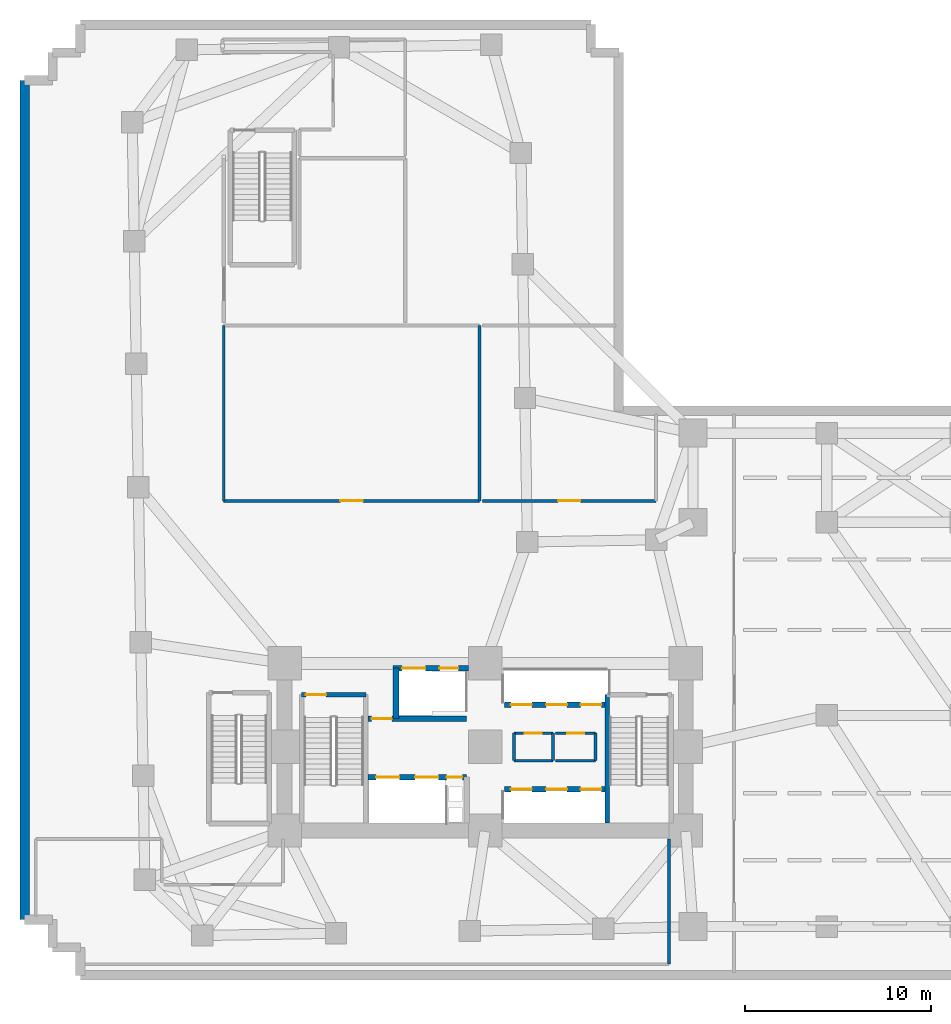
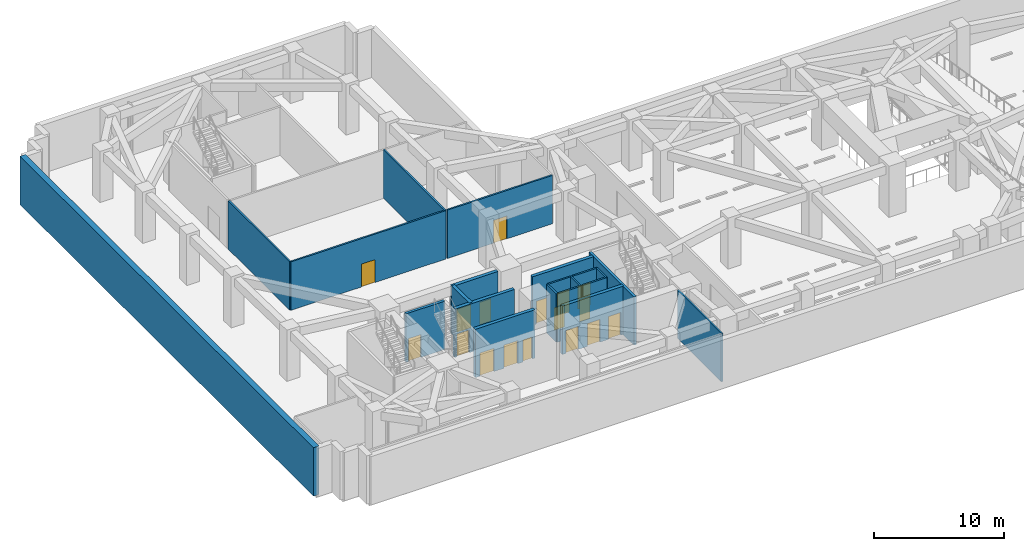
# One storey, part 5 of 11: 21 walls, 17 doors, 17 openings.
"""IFC4 building model written with IfcOpenShell, lengths in metres."""

from ifc_helpers import new_model, si_unit, direction, frame, frame_2d, origin, place, context, subcontext, project, spatial, rectangle, extrude, material, layer, layer_set, type_object, element, fill, save


model = new_model("IFC4")

# Units and contexts
model_context = context("Model", 3, precision=1e-05, world=origin(), true_north=direction((0.0, 1.0)))
body_context = subcontext(model_context, "Body", "Model", "MODEL_VIEW")
ifc_project = project(units=[si_unit("LENGTHUNIT", "METRE"), si_unit("AREAUNIT", "SQUARE_METRE"), si_unit("VOLUMEUNIT", "CUBIC_METRE"), si_unit("PLANEANGLEUNIT", "RADIAN"), si_unit("MASSUNIT", "GRAM", prefix="KILO")], contexts=[model_context])

# Site, building, storey
site_placement = place(None, origin())
site = spatial("IfcSite", under=ifc_project, at=site_placement, CompositionType="ELEMENT")
building_placement = place(site_placement, origin())
building = spatial("IfcBuilding", under=site, at=building_placement, Name="Gaonmaruhae Medical Tower", CompositionType="ELEMENT")
storey_placement = place(building_placement, frame((0.0, 0.0, -4.800048828125)))
storey = spatial("IfcBuildingStorey", under=building, at=storey_placement, Name="B01", CompositionType="ELEMENT", Elevation=-4.800048828125)

# Wall
ifc_material_1 = material(Name="Gypsum board partition", Category="gypsum")
ifc_layer_1 = layer(ifc_material_1, 0.14990234375)
ifc_layer_set_1 = layer_set([ifc_layer_1], Name="Gypsum board partition")
wall_type_1 = type_object("IfcWallType", Name="PW-150 Rated Clinical Corridor Partition", PredefinedType="PARTITIONING", material=ifc_layer_set_1)
wall_1_placement = place(storey_placement, frame((26.35009765625, 11.56005859375, 0.0), z_axis=(0.0, 0.0, 1.0), x_axis=(0.0, 1.0, 0.0)))
element("IfcWall", 1, at=wall_1_placement, inside=storey, type_object=wall_type_1, Name="B01 Interior Partition B01-CS1-1", PredefinedType="PARTITIONING", context=body_context, shape_type="SweptSolid", body=[
    extrude(rectangle(XDim=1.47998046875, YDim=0.14990234375, at=frame_2d((0.739990234375, 0.0))), origin(), (0.0, 0.0, 1.0), 4.550048828125),
])

# Wall, opening, door
wall_2_placement = place(storey_placement, frame((26.35009765625, 13.0400390625, 0.0), z_axis=(0.0, 0.0, 1.0), x_axis=(1.0, 0.0, 0.0)))
wall_2 = element("IfcWall", 2, at=wall_2_placement, inside=storey, type_object=wall_type_1, Name="B01 Interior Partition B01-CS1-2", PredefinedType="PARTITIONING", context=body_context, shape_type="SweptSolid", body=[
    extrude(rectangle(XDim=2.099853515625, YDim=0.14990234375, at=frame_2d((1.0498046875, 0.0))), origin(), (0.0, 0.0, 1.0), 4.550048828125),
])
opening_1_placement = place(wall_2_placement, frame((0.590087890625, 0.0, 0.0)))
opening_1 = element("IfcOpeningElement", 3, at=opening_1_placement, cuts=wall_2, Name="Opening UD-01", PredefinedType="OPENING", context=body_context, shape_type="SweptSolid", body=[
    extrude(rectangle(XDim=0.919921875, YDim=2.10009765625, at=frame_2d((0.4599609375, 1.050048828125))), frame((0.0, 0.0849609375, 0.0), z_axis=(0.0, -1.0, 0.0), x_axis=(1.0, 0.0, 0.0)), (0.0, 0.0, 1.0), 0.169921875),
])
ifc_material_2 = material(Name="Powder-coated steel utility door", Category="steel")
door_type_1 = type_object("IfcDoorType", Name="UD-01 Toilet, Utility & Housekeeping Door 920x2100", OperationType="NOTDEFINED", PredefinedType="DOOR", material=ifc_material_2)
door_1_placement = place(opening_1_placement, origin())
door_1 = element("IfcDoor", 4, at=door_1_placement, inside=storey, type_object=door_type_1, Name="B01 Accessible Staff Toilet Door", OperationType="SINGLE_SWING_RIGHT", OverallHeight=2.10009765625, OverallWidth=0.919921875, PredefinedType="DOOR", context=body_context, shape_type="SweptSolid", body=[
    extrude(rectangle(XDim=0.919921875, YDim=2.10009765625, at=frame_2d((0.4599609375, 1.050048828125))), frame((0.0, 0.02490234375, 0.0), z_axis=(0.0, -1.0, 0.0), x_axis=(1.0, 0.0, 0.0)), (0.0, 0.0, 1.0), 0.050048828125),
])
fill(opening_1, door_1)

# Walls
wall_3_placement = place(storey_placement, frame((28.449951171875, 13.0400390625, 0.0), z_axis=(0.0, 0.0, 1.0), x_axis=(0.0, -1.0, 0.0)))
element("IfcWall", 5, at=wall_3_placement, inside=storey, type_object=wall_type_1, Name="B01 Interior Partition B01-CS1-3", PredefinedType="PARTITIONING", context=body_context, shape_type="SweptSolid", body=[
    extrude(rectangle(XDim=1.47998046875, YDim=0.14990234375, at=frame_2d((0.739990234375, 0.0))), origin(), (0.0, 0.0, 1.0), 4.550048828125),
])
wall_4_placement = place(storey_placement, frame((28.449951171875, 11.56005859375, 0.0), z_axis=(0.0, 0.0, 1.0), x_axis=(-1.0, 0.0, 0.0)))
element("IfcWall", 6, at=wall_4_placement, inside=storey, type_object=wall_type_1, Name="B01 Interior Partition B01-CS1-4", PredefinedType="PARTITIONING", context=body_context, shape_type="SweptSolid", body=[
    extrude(rectangle(XDim=2.099853515625, YDim=0.14990234375, at=frame_2d((1.0498046875, 0.0))), origin(), (0.0, 0.0, 1.0), 4.550048828125),
])

# Wall, opening, door
wall_5_placement = place(storey_placement, frame((28.60009765625, 13.0400390625, 0.0), z_axis=(0.0, 0.0, 1.0), x_axis=(1.0, 0.0, 0.0)))
wall_5 = element("IfcWall", 7, at=wall_5_placement, inside=storey, type_object=wall_type_1, Name="B01 Interior Partition B01-CS2-5", PredefinedType="PARTITIONING", context=body_context, shape_type="SweptSolid", body=[
    extrude(rectangle(XDim=2.14990234375, YDim=0.14990234375, at=frame_2d((1.074951171875, 0.0))), origin(), (0.0, 0.0, 1.0), 4.550048828125),
])
opening_2_placement = place(wall_5_placement, frame((0.614990234375, 0.0, 0.0)))
opening_2 = element("IfcOpeningElement", 8, at=opening_2_placement, cuts=wall_5, Name="Opening UD-01", PredefinedType="OPENING", context=body_context, shape_type="SweptSolid", body=[
    extrude(rectangle(XDim=0.919921875, YDim=2.10009765625, at=frame_2d((0.4599609375, 1.050048828125))), frame((0.0, 0.0849609375, 0.0), z_axis=(0.0, -1.0, 0.0), x_axis=(1.0, 0.0, 0.0)), (0.0, 0.0, 1.0), 0.169921875),
])
door_2_placement = place(opening_2_placement, origin())
door_2 = element("IfcDoor", 9, at=door_2_placement, inside=storey, type_object=door_type_1, Name="B01 Biomedical Telemetry Closet Door", OperationType="SINGLE_SWING_LEFT", OverallHeight=2.10009765625, OverallWidth=0.919921875, PredefinedType="DOOR", context=body_context, shape_type="SweptSolid", body=[
    extrude(rectangle(XDim=0.919921875, YDim=2.10009765625, at=frame_2d((0.4599609375, 1.050048828125))), frame((0.0, 0.02490234375, 0.0), z_axis=(0.0, -1.0, 0.0), x_axis=(1.0, 0.0, 0.0)), (0.0, 0.0, 1.0), 0.050048828125),
])
fill(opening_2, door_2)

# Walls
wall_6_placement = place(storey_placement, frame((30.75, 13.0400390625, 0.0), z_axis=(0.0, 0.0, 1.0), x_axis=(0.0, -1.0, 0.0)))
element("IfcWall", 10, at=wall_6_placement, inside=storey, type_object=wall_type_1, Name="B01 Interior Partition B01-CS2-6", PredefinedType="PARTITIONING", context=body_context, shape_type="SweptSolid", body=[
    extrude(rectangle(XDim=1.47998046875, YDim=0.14990234375, at=frame_2d((0.739990234375, 0.0))), origin(), (0.0, 0.0, 1.0), 4.550048828125),
])
wall_7_placement = place(storey_placement, frame((30.75, 11.56005859375, 0.0), z_axis=(0.0, 0.0, 1.0), x_axis=(-1.0, 0.0, 0.0)))
element("IfcWall", 11, at=wall_7_placement, inside=storey, type_object=wall_type_1, Name="B01 Interior Partition B01-CS2-7", PredefinedType="PARTITIONING", context=body_context, shape_type="SweptSolid", body=[
    extrude(rectangle(XDim=2.14990234375, YDim=0.14990234375, at=frame_2d((1.074951171875, 0.0))), origin(), (0.0, 0.0, 1.0), 4.550048828125),
])
wall_8_placement = place(storey_placement, frame((24.5, 35.0, 0.0), z_axis=(0.0, 0.0, 1.0), x_axis=(0.0, -1.0, 0.0)))
element("IfcWall", 12, at=wall_8_placement, inside=storey, type_object=wall_type_1, Name="B01 Interior Partition B01-CSSD-8", PredefinedType="PARTITIONING", context=body_context, shape_type="SweptSolid", body=[
    extrude(rectangle(XDim=9.449951171875, YDim=0.14990234375, at=frame_2d((4.72509765625, 0.0))), origin(), (0.0, 0.0, 1.0), 4.550048828125),
])

# Wall, opening, door
wall_9_placement = place(storey_placement, frame((24.5, 25.550048828125, 0.0), z_axis=(0.0, 0.0, 1.0), x_axis=(-1.0, 0.0, 0.0)))
wall_9 = element("IfcWall", 13, at=wall_9_placement, inside=storey, type_object=wall_type_1, Name="B01 Interior Partition B01-CSSD-9", PredefinedType="PARTITIONING", context=body_context, shape_type="SweptSolid", body=[
    extrude(rectangle(XDim=13.780029296875, YDim=0.14990234375, at=frame_2d((6.89013671875, 0.0))), origin(), (0.0, 0.0, 1.0), 4.550048828125),
])
opening_3_placement = place(wall_9_placement, frame((6.2900390625, 0.0, 0.0)))
opening_3 = element("IfcOpeningElement", 14, at=opening_3_placement, cuts=wall_9, Name="Opening CD-02", PredefinedType="OPENING", context=body_context, shape_type="SweptSolid", body=[
    extrude(rectangle(XDim=1.199951171875, YDim=2.14990234375, at=frame_2d((0.60009765625, 1.074951171875))), frame((0.0, 0.0849609375, 0.0), z_axis=(0.0, -1.0, 0.0), x_axis=(1.0, 0.0, 0.0)), (0.0, 0.0, 1.0), 0.169921875),
])
ifc_material_3 = material(Name="Antimicrobial laminate timber fire door", Category="wood")
door_type_2 = type_object("IfcDoorType", Name="CD-02 Clinical Treatment & Procedure Door 1200x2150", OperationType="NOTDEFINED", PredefinedType="DOOR", material=ifc_material_3)
door_3_placement = place(opening_3_placement, origin())
door_3 = element("IfcDoor", 15, at=door_3_placement, inside=storey, type_object=door_type_2, Name="B01 Central Sterile Supply Department Door", OperationType="SINGLE_SWING_RIGHT", OverallHeight=2.14990234375, OverallWidth=1.199951171875, PredefinedType="DOOR", context=body_context, shape_type="SweptSolid", body=[
    extrude(rectangle(XDim=1.199951171875, YDim=2.14990234375, at=frame_2d((0.60009765625, 1.074951171875))), frame((0.0, 0.02490234375, 0.0), z_axis=(0.0, -1.0, 0.0), x_axis=(1.0, 0.0, 0.0)), (0.0, 0.0, 1.0), 0.050048828125),
])
fill(opening_3, door_3)

# Wall
wall_10_placement = place(storey_placement, frame((10.719970703125, 25.550048828125, 0.0), z_axis=(0.0, 0.0, 1.0), x_axis=(0.0, 1.0, 0.0)))
element("IfcWall", 16, at=wall_10_placement, inside=storey, type_object=wall_type_1, Name="B01 Interior Partition B01-CSSD-10", PredefinedType="PARTITIONING", context=body_context, shape_type="SweptSolid", body=[
    extrude(rectangle(XDim=9.449951171875, YDim=0.14990234375, at=frame_2d((4.72509765625, 0.0))), origin(), (0.0, 0.0, 1.0), 4.550048828125),
])

# Wall, opening, door
wall_11_placement = place(storey_placement, frame((34.0, 25.550048828125, 0.0), z_axis=(0.0, 0.0, 1.0), x_axis=(-1.0, 0.0, 0.0)))
wall_11 = element("IfcWall", 17, at=wall_11_placement, inside=storey, type_object=wall_type_1, Name="B01 Interior Partition B01-PHRM-13", PredefinedType="PARTITIONING", context=body_context, shape_type="SweptSolid", body=[
    extrude(rectangle(XDim=9.35009765625, YDim=0.14990234375, at=frame_2d((4.675048828125, 0.0))), origin(), (0.0, 0.0, 1.0), 4.550048828125),
])
opening_4_placement = place(wall_11_placement, frame((4.074951171875, 0.0, 0.0)))
opening_4 = element("IfcOpeningElement", 18, at=opening_4_placement, cuts=wall_11, Name="Opening CD-02", PredefinedType="OPENING", context=body_context, shape_type="SweptSolid", body=[
    extrude(rectangle(XDim=1.199951171875, YDim=2.14990234375, at=frame_2d((0.60009765625, 1.074951171875))), frame((0.0, 0.0849609375, 0.0), z_axis=(0.0, -1.0, 0.0), x_axis=(1.0, 0.0, 0.0)), (0.0, 0.0, 1.0), 0.169921875),
])
door_4_placement = place(opening_4_placement, origin())
door_4 = element("IfcDoor", 19, at=door_4_placement, inside=storey, type_object=door_type_2, Name="B01 Automated Bulk Hospital Pharmacy Store Door", OperationType="SINGLE_SWING_RIGHT", OverallHeight=2.14990234375, OverallWidth=1.199951171875, PredefinedType="DOOR", context=body_context, shape_type="SweptSolid", body=[
    extrude(rectangle(XDim=1.199951171875, YDim=2.14990234375, at=frame_2d((0.60009765625, 1.074951171875))), frame((0.0, 0.02490234375, 0.0), z_axis=(0.0, -1.0, 0.0), x_axis=(1.0, 0.0, 0.0)), (0.0, 0.0, 1.0), 0.050048828125),
])
fill(opening_4, door_4)

# Walls
wall_12_placement = place(storey_placement, frame((34.699951171875, 7.35009765625, 0.0), z_axis=(0.0, 0.0, 1.0), x_axis=(0.0, -1.0, 0.0)))
element("IfcWall", 20, at=wall_12_placement, inside=storey, type_object=wall_type_1, Name="B01 Interior Partition B01-LNDY-31", PredefinedType="PARTITIONING", context=body_context, shape_type="SweptSolid", body=[
    extrude(rectangle(XDim=6.75, YDim=0.14990234375, at=frame_2d((3.375, 0.0))), origin(), (0.0, 0.0, 1.0), 4.550048828125),
])
ifc_material_4 = material(Name="Concrete C50/60", Category="concrete")
ifc_layer_2 = layer(ifc_material_4, 0.5)
ifc_layer_set_2 = layer_set([ifc_layer_2], Name="Concrete C50/60")
wall_type_2 = type_object("IfcWallType", Name="RW-500 Basement Perimeter Retaining Wall", PredefinedType="USERDEFINED", material=ifc_layer_set_2)
wall_13_placement = place(storey_placement, frame((0.0, 3.0, 0.0), z_axis=(0.0, 0.0, 1.0), x_axis=(0.0, 1.0, 0.0)))
element("IfcWall", 21, at=wall_13_placement, inside=storey, type_object=wall_type_2, Name="B01 Perimeter Retaining Wall RW18", ObjectType="RETAININGWALL", PredefinedType="USERDEFINED", context=body_context, shape_type="SweptSolid", body=[
    extrude(rectangle(XDim=45.199951171875, YDim=0.5, at=frame_2d((22.60009765625, 0.0))), origin(), (0.0, 0.0, 1.0), 4.550048828125),
])

# Wall, opening, door
ifc_layer_3 = layer(ifc_material_4, 0.239990234375)
ifc_layer_set_3 = layer_set([ifc_layer_3], Name="Concrete C50/60")
wall_type_3 = type_object("IfcWallType", Name="SW-240 Dogleg Stair Tight Shaft Wall", PredefinedType="SOLIDWALL", material=ifc_layer_set_3)
wall_14_placement = place(storey_placement, frame((14.919921875, 15.1201171875, 0.0), z_axis=(0.0, 0.0, 1.0), x_axis=(1.0, 0.0, 0.0)))
wall_14 = element("IfcWall", 22, at=wall_14_placement, inside=storey, type_object=wall_type_3, Name="B01 ST-01 Stair Shaft Wall SHW-ST-01-N", PredefinedType="SOLIDWALL", context=body_context, shape_type="SweptSolid", body=[
    extrude(rectangle(XDim=3.4599609375, YDim=0.239990234375, at=frame_2d((1.72998046875, 0.0))), origin(), (0.0, 0.0, 1.0), 4.550048828125),
])
opening_5_placement = place(wall_14_placement, frame((0.219970703125, 0.0, 0.0)))
opening_5 = element("IfcOpeningElement", 23, at=opening_5_placement, cuts=wall_14, Name="Opening FD-01", PredefinedType="OPENING", context=body_context, shape_type="SweptSolid", body=[
    extrude(rectangle(XDim=1.10009765625, YDim=2.14990234375, at=frame_2d((0.550048828125, 1.074951171875))), frame((0.0, 0.1298828125, 0.0), z_axis=(0.0, -1.0, 0.0), x_axis=(1.0, 0.0, 0.0)), (0.0, 0.0, 1.0), 0.260009765625),
])
ifc_material_5 = material(Name="Powder-coated steel fire door", Category="steel")
door_type_3 = type_object("IfcDoorType", Name="FD-01 Escape Stair Protected Fire Door 1100x2150", OperationType="NOTDEFINED", PredefinedType="DOOR", material=ifc_material_5)
door_5_placement = place(opening_5_placement, origin())
door_5 = element("IfcDoor", 24, at=door_5_placement, inside=storey, type_object=door_type_3, Name="B01 ST-01 Protected Escape Stair Door", OperationType="SINGLE_SWING_RIGHT", OverallHeight=2.14990234375, OverallWidth=1.10009765625, PredefinedType="DOOR", context=body_context, shape_type="SweptSolid", body=[
    extrude(rectangle(XDim=1.10009765625, YDim=2.14990234375, at=frame_2d((0.550048828125, 1.074951171875))), frame((0.0, 0.02490234375, 0.0), z_axis=(0.0, -1.0, 0.0), x_axis=(1.0, 0.0, 0.0)), (0.0, 0.0, 1.0), 0.050048828125),
])
fill(opening_5, door_5)

# Wall
wall_15_placement = place(storey_placement, frame((31.3701171875, 8.199951171875, 0.0), z_axis=(0.0, 0.0, 1.0), x_axis=(0.0, 1.0, 0.0)))
element("IfcWall", 25, at=wall_15_placement, inside=storey, type_object=wall_type_3, Name="B01 ST-02 Stair Shaft Wall SHW-ST-02-W", PredefinedType="SOLIDWALL", context=body_context, shape_type="SweptSolid", body=[
    extrude(rectangle(XDim=6.920166015625, YDim=0.239990234375, at=frame_2d((3.4599609375, 0.0))), origin(), (0.0, 0.0, 1.0), 4.550048828125),
])

# Wall, openings, doors
ifc_layer_4 = layer(ifc_material_4, 0.300048828125)
ifc_layer_set_4 = layer_set([ifc_layer_4], Name="Concrete C50/60")
wall_type_4 = type_object("IfcWallType", Name="SW-300 Stair & Lift Hoistway Shaft Wall", PredefinedType="SOLIDWALL", material=ifc_layer_set_4)
wall_16_placement = place(storey_placement, frame((19.85009765625, 16.550048828125, 0.0), z_axis=(0.0, 0.0, 1.0), x_axis=(1.0, 0.0, 0.0)))
wall_16 = element("IfcWall", 26, at=wall_16_placement, inside=storey, type_object=wall_type_4, Name="B01 Core Shear Wall CSW-NB", PredefinedType="SOLIDWALL", context=body_context, shape_type="SweptSolid", body=[
    extrude(rectangle(XDim=4.0498046875, YDim=0.300048828125, at=frame_2d((2.02490234375, 0.0))), origin(), (0.0, 0.0, 1.0), 4.550048828125),
])
opening_6_placement = place(wall_16_placement, frame((0.47509765625, 0.0, 0.0)))
opening_6 = element("IfcOpeningElement", 27, at=opening_6_placement, cuts=wall_16, Name="Opening LD-F1", PredefinedType="OPENING", context=body_context, shape_type="SweptSolid", body=[
    extrude(rectangle(XDim=1.25, YDim=2.179931640625, at=frame_2d((0.625, 1.08984375))), frame((0.0, 0.16015625, 0.0), z_axis=(0.0, -1.0, 0.0), x_axis=(1.0, 0.0, 0.0)), (0.0, 0.0, 1.0), 0.320068359375),
])
opening_7_placement = place(wall_16_placement, frame((2.489990234375, 0.0, 0.0)))
opening_7 = element("IfcOpeningElement", 28, at=opening_7_placement, cuts=wall_16, Name="Opening LD-S1", PredefinedType="OPENING", context=body_context, shape_type="SweptSolid", body=[
    extrude(rectangle(XDim=1.02001953125, YDim=2.1201171875, at=frame_2d((0.510009765625, 1.06005859375))), frame((0.0, 0.16015625, 0.0), z_axis=(0.0, -1.0, 0.0), x_axis=(1.0, 0.0, 0.0)), (0.0, 0.0, 1.0), 0.320068359375),
])
ifc_material_6 = material(Name="Brushed stainless steel 316L landing door", Category="steel")
door_type_4 = type_object("IfcDoorType", Name="LD-F1 Firefighting & Bed Lift Sliding Landing Door 1250x2180", OperationType="NOTDEFINED", PredefinedType="DOOR", material=ifc_material_6)
door_6_placement = place(opening_6_placement, origin())
door_6 = element("IfcDoor", 29, at=door_6_placement, inside=storey, type_object=door_type_4, Name="B01 Service/Bed Lift Landing Door BDL-01", OperationType="DOUBLE_DOOR_SLIDING", OverallHeight=2.179931640625, OverallWidth=1.25, PredefinedType="DOOR", context=body_context, shape_type="SweptSolid", body=[
    extrude(rectangle(XDim=1.25, YDim=2.179931640625, at=frame_2d((0.625, 1.08984375))), frame((0.0, 0.02490234375, 0.0), z_axis=(0.0, -1.0, 0.0), x_axis=(1.0, 0.0, 0.0)), (0.0, 0.0, 1.0), 0.050048828125),
])
fill(opening_6, door_6)
ifc_material_7 = material(Name="Brushed stainless steel 304 landing door", Category="steel")
door_type_5 = type_object("IfcDoorType", Name="LD-S1 Service Lift Sliding Landing Door 1020x2120", OperationType="NOTDEFINED", PredefinedType="DOOR", material=ifc_material_7)
door_7_placement = place(opening_7_placement, origin())
door_7 = element("IfcDoor", 30, at=door_7_placement, inside=storey, type_object=door_type_5, Name="B01 Service/Bed Lift Landing Door SVL-01", OperationType="SLIDING_TO_LEFT", OverallHeight=2.1201171875, OverallWidth=1.02001953125, PredefinedType="DOOR", context=body_context, shape_type="SweptSolid", body=[
    extrude(rectangle(XDim=1.02001953125, YDim=2.1201171875, at=frame_2d((0.510009765625, 1.06005859375))), frame((0.0, 0.02490234375, 0.0), z_axis=(0.0, -1.0, 0.0), x_axis=(1.0, 0.0, 0.0)), (0.0, 0.0, 1.0), 0.050048828125),
])
fill(opening_7, door_7)

wall_17_placement = place(storey_placement, frame((18.5, 10.679931640625, 0.0), z_axis=(0.0, 0.0, 1.0), x_axis=(1.0, 0.0, 0.0)))
wall_17 = element("IfcWall", 31, at=wall_17_placement, inside=storey, type_object=wall_type_4, Name="B01 Shaft Enclosure Wall SHW-FFN", PredefinedType="SOLIDWALL", context=body_context, shape_type="SweptSolid", body=[
    extrude(rectangle(XDim=5.300048828125, YDim=0.300048828125, at=frame_2d((2.64990234375, 0.0))), origin(), (0.0, 0.0, 1.0), 4.550048828125),
])
opening_8_placement = place(wall_17_placement, frame((4.219970703125, 0.0, 0.0)))
opening_8 = element("IfcOpeningElement", 32, at=opening_8_placement, cuts=wall_17, Name="Opening AD-01", PredefinedType="OPENING", context=body_context, shape_type="SweptSolid", body=[
    extrude(rectangle(XDim=0.860107421875, YDim=2.06005859375, at=frame_2d((0.43017578125, 1.030029296875))), frame((0.0, 0.16015625, 0.0), z_axis=(0.0, -1.0, 0.0), x_axis=(1.0, 0.0, 0.0)), (0.0, 0.0, 1.0), 0.320068359375),
])
opening_9_placement = place(wall_17_placement, frame((0.425048828125, 0.0, 0.0)))
opening_9 = element("IfcOpeningElement", 33, at=opening_9_placement, cuts=wall_17, Name="Opening LD-F1", PredefinedType="OPENING", context=body_context, shape_type="SweptSolid", body=[
    extrude(rectangle(XDim=1.25, YDim=2.179931640625, at=frame_2d((0.625, 1.08984375))), frame((0.0, 0.16015625, 0.0), z_axis=(0.0, -1.0, 0.0), x_axis=(1.0, 0.0, 0.0)), (0.0, 0.0, 1.0), 0.320068359375),
])
opening_10_placement = place(wall_17_placement, frame((2.52490234375, 0.0, 0.0)))
opening_10 = element("IfcOpeningElement", 34, at=opening_10_placement, cuts=wall_17, Name="Opening LD-F1", PredefinedType="OPENING", context=body_context, shape_type="SweptSolid", body=[
    extrude(rectangle(XDim=1.25, YDim=2.179931640625, at=frame_2d((0.625, 1.08984375))), frame((0.0, 0.16015625, 0.0), z_axis=(0.0, -1.0, 0.0), x_axis=(1.0, 0.0, 0.0)), (0.0, 0.0, 1.0), 0.320068359375),
])
ifc_material_8 = material(Name="Powder-coated steel access door", Category="steel")
door_type_6 = type_object("IfcDoorType", Name="AD-01 Riser & Closet Access Fire Door 860x2060", OperationType="NOTDEFINED", PredefinedType="DOOR", material=ifc_material_8)
door_8_placement = place(opening_8_placement, origin())
door_8 = element("IfcDoor", 35, at=door_8_placement, inside=storey, type_object=door_type_6, Name="B01 Medical Gas and MEP Riser Access Door", OperationType="SINGLE_SWING_RIGHT", OverallHeight=2.06005859375, OverallWidth=0.860107421875, PredefinedType="DOOR", context=body_context, shape_type="SweptSolid", body=[
    extrude(rectangle(XDim=0.860107421875, YDim=2.06005859375, at=frame_2d((0.43017578125, 1.030029296875))), frame((0.0, 0.02490234375, 0.0), z_axis=(0.0, -1.0, 0.0), x_axis=(1.0, 0.0, 0.0)), (0.0, 0.0, 1.0), 0.050048828125),
])
fill(opening_8, door_8)
door_9_placement = place(opening_9_placement, origin())
door_9 = element("IfcDoor", 36, at=door_9_placement, inside=storey, type_object=door_type_4, Name="B01 Firefighting Lift Landing Door FFL-01", OperationType="DOUBLE_DOOR_SLIDING", OverallHeight=2.179931640625, OverallWidth=1.25, PredefinedType="DOOR", context=body_context, shape_type="SweptSolid", body=[
    extrude(rectangle(XDim=1.25, YDim=2.179931640625, at=frame_2d((0.625, 1.08984375))), frame((0.0, 0.02490234375, 0.0), z_axis=(0.0, -1.0, 0.0), x_axis=(1.0, 0.0, 0.0)), (0.0, 0.0, 1.0), 0.050048828125),
])
fill(opening_9, door_9)
door_10_placement = place(opening_10_placement, origin())
door_10 = element("IfcDoor", 37, at=door_10_placement, inside=storey, type_object=door_type_4, Name="B01 Firefighting Lift Landing Door FFL-02", OperationType="DOUBLE_DOOR_SLIDING", OverallHeight=2.179931640625, OverallWidth=1.25, PredefinedType="DOOR", context=body_context, shape_type="SweptSolid", body=[
    extrude(rectangle(XDim=1.25, YDim=2.179931640625, at=frame_2d((0.625, 1.08984375))), frame((0.0, 0.02490234375, 0.0), z_axis=(0.0, -1.0, 0.0), x_axis=(1.0, 0.0, 0.0)), (0.0, 0.0, 1.0), 0.050048828125),
])
fill(opening_10, door_10)

# Wall, opening, door
wall_18_placement = place(storey_placement, frame((18.5, 13.820068359375, 0.0), z_axis=(0.0, 0.0, 1.0), x_axis=(1.0, 0.0, 0.0)))
wall_18 = element("IfcWall", 38, at=wall_18_placement, inside=storey, type_object=wall_type_4, Name="B01 Shaft Enclosure Wall SHW-FFL", PredefinedType="SOLIDWALL", context=body_context, shape_type="SweptSolid", body=[
    extrude(rectangle(XDim=5.300048828125, YDim=0.300048828125, at=frame_2d((2.64990234375, 0.0))), origin(), (0.0, 0.0, 1.0), 4.550048828125),
])
opening_11_placement = place(wall_18_placement, frame((0.179931640625, 0.0, 0.0)))
opening_11 = element("IfcOpeningElement", 39, at=opening_11_placement, cuts=wall_18, Name="Opening FD-01", PredefinedType="OPENING", context=body_context, shape_type="SweptSolid", body=[
    extrude(rectangle(XDim=1.10009765625, YDim=2.14990234375, at=frame_2d((0.550048828125, 1.074951171875))), frame((0.0, 0.16015625, 0.0), z_axis=(0.0, -1.0, 0.0), x_axis=(1.0, 0.0, 0.0)), (0.0, 0.0, 1.0), 0.320068359375),
])
door_11_placement = place(opening_11_placement, origin())
door_11 = element("IfcDoor", 40, at=door_11_placement, inside=storey, type_object=door_type_3, Name="B01 Firefighting Lobby Smoke Door", OperationType="SINGLE_SWING_LEFT", OverallHeight=2.14990234375, OverallWidth=1.10009765625, PredefinedType="DOOR", context=body_context, shape_type="SweptSolid", body=[
    extrude(rectangle(XDim=1.10009765625, YDim=2.14990234375, at=frame_2d((0.550048828125, 1.074951171875))), frame((0.0, 0.02490234375, 0.0), z_axis=(0.0, -1.0, 0.0), x_axis=(1.0, 0.0, 0.0)), (0.0, 0.0, 1.0), 0.050048828125),
])
fill(opening_11, door_11)

# Wall
wall_19_placement = place(storey_placement, frame((20.0, 13.820068359375, 0.0), z_axis=(0.0, 0.0, 1.0), x_axis=(0.0, 1.0, 0.0)))
element("IfcWall", 41, at=wall_19_placement, inside=storey, type_object=wall_type_4, Name="B01 Shaft Enclosure Wall SHW-BDW", PredefinedType="SOLIDWALL", context=body_context, shape_type="SweptSolid", body=[
    extrude(rectangle(XDim=2.72998046875, YDim=0.300048828125, at=frame_2d((1.364990234375, 0.0))), origin(), (0.0, 0.0, 1.0), 4.550048828125),
])

# Wall, openings, doors
wall_20_placement = place(storey_placement, frame((25.85009765625, 10.02001953125, 0.0), z_axis=(0.0, 0.0, 1.0), x_axis=(1.0, 0.0, 0.0)))
wall_20 = element("IfcWall", 42, at=wall_20_placement, inside=storey, type_object=wall_type_4, Name="B01 Shaft Enclosure Wall SHW-PLS", PredefinedType="SOLIDWALL", context=body_context, shape_type="SweptSolid", body=[
    extrude(rectangle(XDim=5.449951171875, YDim=0.300048828125, at=frame_2d((2.72509765625, 0.0))), origin(), (0.0, 0.0, 1.0), 4.550048828125),
])
opening_12_placement = place(wall_20_placement, frame((0.340087890625, 0.0, 0.0)))
opening_12 = element("IfcOpeningElement", 43, at=opening_12_placement, cuts=wall_20, Name="Opening LD-P1", PredefinedType="OPENING", context=body_context, shape_type="SweptSolid", body=[
    extrude(rectangle(XDim=1.1201171875, YDim=2.14990234375, at=frame_2d((0.56005859375, 1.074951171875))), frame((0.0, 0.16015625, 0.0), z_axis=(0.0, -1.0, 0.0), x_axis=(1.0, 0.0, 0.0)), (0.0, 0.0, 1.0), 0.320068359375),
])
opening_13_placement = place(wall_20_placement, frame((2.239990234375, 0.0, 0.0)))
opening_13 = element("IfcOpeningElement", 44, at=opening_13_placement, cuts=wall_20, Name="Opening LD-P1", PredefinedType="OPENING", context=body_context, shape_type="SweptSolid", body=[
    extrude(rectangle(XDim=1.1201171875, YDim=2.14990234375, at=frame_2d((0.56005859375, 1.074951171875))), frame((0.0, 0.16015625, 0.0), z_axis=(0.0, -1.0, 0.0), x_axis=(1.0, 0.0, 0.0)), (0.0, 0.0, 1.0), 0.320068359375),
])
opening_14_placement = place(wall_20_placement, frame((4.090087890625, 0.0, 0.0)))
opening_14 = element("IfcOpeningElement", 45, at=opening_14_placement, cuts=wall_20, Name="Opening LD-P1", PredefinedType="OPENING", context=body_context, shape_type="SweptSolid", body=[
    extrude(rectangle(XDim=1.1201171875, YDim=2.14990234375, at=frame_2d((0.56005859375, 1.074951171875))), frame((0.0, 0.16015625, 0.0), z_axis=(0.0, -1.0, 0.0), x_axis=(1.0, 0.0, 0.0)), (0.0, 0.0, 1.0), 0.320068359375),
])
door_type_7 = type_object("IfcDoorType", Name="LD-P1 Passenger Lift Sliding Landing Door 1120x2150", OperationType="NOTDEFINED", PredefinedType="DOOR", material=ifc_material_7)
door_12_placement = place(opening_12_placement, origin())
door_12 = element("IfcDoor", 46, at=door_12_placement, inside=storey, type_object=door_type_7, Name="B01 Passenger Lift Landing Door PL-L1", OperationType="DOUBLE_DOOR_SLIDING", OverallHeight=2.14990234375, OverallWidth=1.1201171875, PredefinedType="DOOR", context=body_context, shape_type="SweptSolid", body=[
    extrude(rectangle(XDim=1.1201171875, YDim=2.14990234375, at=frame_2d((0.56005859375, 1.074951171875))), frame((0.0, 0.02490234375, 0.0), z_axis=(0.0, -1.0, 0.0), x_axis=(1.0, 0.0, 0.0)), (0.0, 0.0, 1.0), 0.050048828125),
])
fill(opening_12, door_12)
door_13_placement = place(opening_13_placement, origin())
door_13 = element("IfcDoor", 47, at=door_13_placement, inside=storey, type_object=door_type_7, Name="B01 Passenger Lift Landing Door PL-L2", OperationType="DOUBLE_DOOR_SLIDING", OverallHeight=2.14990234375, OverallWidth=1.1201171875, PredefinedType="DOOR", context=body_context, shape_type="SweptSolid", body=[
    extrude(rectangle(XDim=1.1201171875, YDim=2.14990234375, at=frame_2d((0.56005859375, 1.074951171875))), frame((0.0, 0.02490234375, 0.0), z_axis=(0.0, -1.0, 0.0), x_axis=(1.0, 0.0, 0.0)), (0.0, 0.0, 1.0), 0.050048828125),
])
fill(opening_13, door_13)
door_14_placement = place(opening_14_placement, origin())
door_14 = element("IfcDoor", 48, at=door_14_placement, inside=storey, type_object=door_type_7, Name="B01 Passenger Lift Landing Door PL-H1", OperationType="DOUBLE_DOOR_SLIDING", OverallHeight=2.14990234375, OverallWidth=1.1201171875, PredefinedType="DOOR", context=body_context, shape_type="SweptSolid", body=[
    extrude(rectangle(XDim=1.1201171875, YDim=2.14990234375, at=frame_2d((0.56005859375, 1.074951171875))), frame((0.0, 0.02490234375, 0.0), z_axis=(0.0, -1.0, 0.0), x_axis=(1.0, 0.0, 0.0)), (0.0, 0.0, 1.0), 0.050048828125),
])
fill(opening_14, door_14)

wall_21_placement = place(storey_placement, frame((25.85009765625, 14.580078125, 0.0), z_axis=(0.0, 0.0, 1.0), x_axis=(1.0, 0.0, 0.0)))
wall_21 = element("IfcWall", 49, at=wall_21_placement, inside=storey, type_object=wall_type_4, Name="B01 Shaft Enclosure Wall SHW-PLN", PredefinedType="SOLIDWALL", context=body_context, shape_type="SweptSolid", body=[
    extrude(rectangle(XDim=5.449951171875, YDim=0.300048828125, at=frame_2d((2.72509765625, 0.0))), origin(), (0.0, 0.0, 1.0), 4.550048828125),
])
opening_15_placement = place(wall_21_placement, frame((0.340087890625, 0.0, 0.0)))
opening_15 = element("IfcOpeningElement", 50, at=opening_15_placement, cuts=wall_21, Name="Opening LD-P1", PredefinedType="OPENING", context=body_context, shape_type="SweptSolid", body=[
    extrude(rectangle(XDim=1.1201171875, YDim=2.14990234375, at=frame_2d((0.56005859375, 1.074951171875))), frame((0.0, 0.16015625, 0.0), z_axis=(0.0, -1.0, 0.0), x_axis=(1.0, 0.0, 0.0)), (0.0, 0.0, 1.0), 0.320068359375),
])
opening_16_placement = place(wall_21_placement, frame((2.239990234375, 0.0, 0.0)))
opening_16 = element("IfcOpeningElement", 51, at=opening_16_placement, cuts=wall_21, Name="Opening LD-P1", PredefinedType="OPENING", context=body_context, shape_type="SweptSolid", body=[
    extrude(rectangle(XDim=1.1201171875, YDim=2.14990234375, at=frame_2d((0.56005859375, 1.074951171875))), frame((0.0, 0.16015625, 0.0), z_axis=(0.0, -1.0, 0.0), x_axis=(1.0, 0.0, 0.0)), (0.0, 0.0, 1.0), 0.320068359375),
])
opening_17_placement = place(wall_21_placement, frame((4.090087890625, 0.0, 0.0)))
opening_17 = element("IfcOpeningElement", 52, at=opening_17_placement, cuts=wall_21, Name="Opening LD-P1", PredefinedType="OPENING", context=body_context, shape_type="SweptSolid", body=[
    extrude(rectangle(XDim=1.1201171875, YDim=2.14990234375, at=frame_2d((0.56005859375, 1.074951171875))), frame((0.0, 0.16015625, 0.0), z_axis=(0.0, -1.0, 0.0), x_axis=(1.0, 0.0, 0.0)), (0.0, 0.0, 1.0), 0.320068359375),
])
door_15_placement = place(opening_15_placement, origin())
door_15 = element("IfcDoor", 53, at=door_15_placement, inside=storey, type_object=door_type_7, Name="B01 Passenger Lift Landing Door PL-M1", OperationType="DOUBLE_DOOR_SLIDING", OverallHeight=2.14990234375, OverallWidth=1.1201171875, PredefinedType="DOOR", context=body_context, shape_type="SweptSolid", body=[
    extrude(rectangle(XDim=1.1201171875, YDim=2.14990234375, at=frame_2d((0.56005859375, 1.074951171875))), frame((0.0, 0.02490234375, 0.0), z_axis=(0.0, -1.0, 0.0), x_axis=(1.0, 0.0, 0.0)), (0.0, 0.0, 1.0), 0.050048828125),
])
fill(opening_15, door_15)
door_16_placement = place(opening_16_placement, origin())
door_16 = element("IfcDoor", 54, at=door_16_placement, inside=storey, type_object=door_type_7, Name="B01 Passenger Lift Landing Door PL-M2", OperationType="DOUBLE_DOOR_SLIDING", OverallHeight=2.14990234375, OverallWidth=1.1201171875, PredefinedType="DOOR", context=body_context, shape_type="SweptSolid", body=[
    extrude(rectangle(XDim=1.1201171875, YDim=2.14990234375, at=frame_2d((0.56005859375, 1.074951171875))), frame((0.0, 0.02490234375, 0.0), z_axis=(0.0, -1.0, 0.0), x_axis=(1.0, 0.0, 0.0)), (0.0, 0.0, 1.0), 0.050048828125),
])
fill(opening_16, door_16)
door_17_placement = place(opening_17_placement, origin())
door_17 = element("IfcDoor", 55, at=door_17_placement, inside=storey, type_object=door_type_7, Name="B01 Passenger Lift Landing Door PL-H2", OperationType="DOUBLE_DOOR_SLIDING", OverallHeight=2.14990234375, OverallWidth=1.1201171875, PredefinedType="DOOR", context=body_context, shape_type="SweptSolid", body=[
    extrude(rectangle(XDim=1.1201171875, YDim=2.14990234375, at=frame_2d((0.56005859375, 1.074951171875))), frame((0.0, 0.02490234375, 0.0), z_axis=(0.0, -1.0, 0.0), x_axis=(1.0, 0.0, 0.0)), (0.0, 0.0, 1.0), 0.050048828125),
])
fill(opening_17, door_17)

save(model, "model.ifc")
